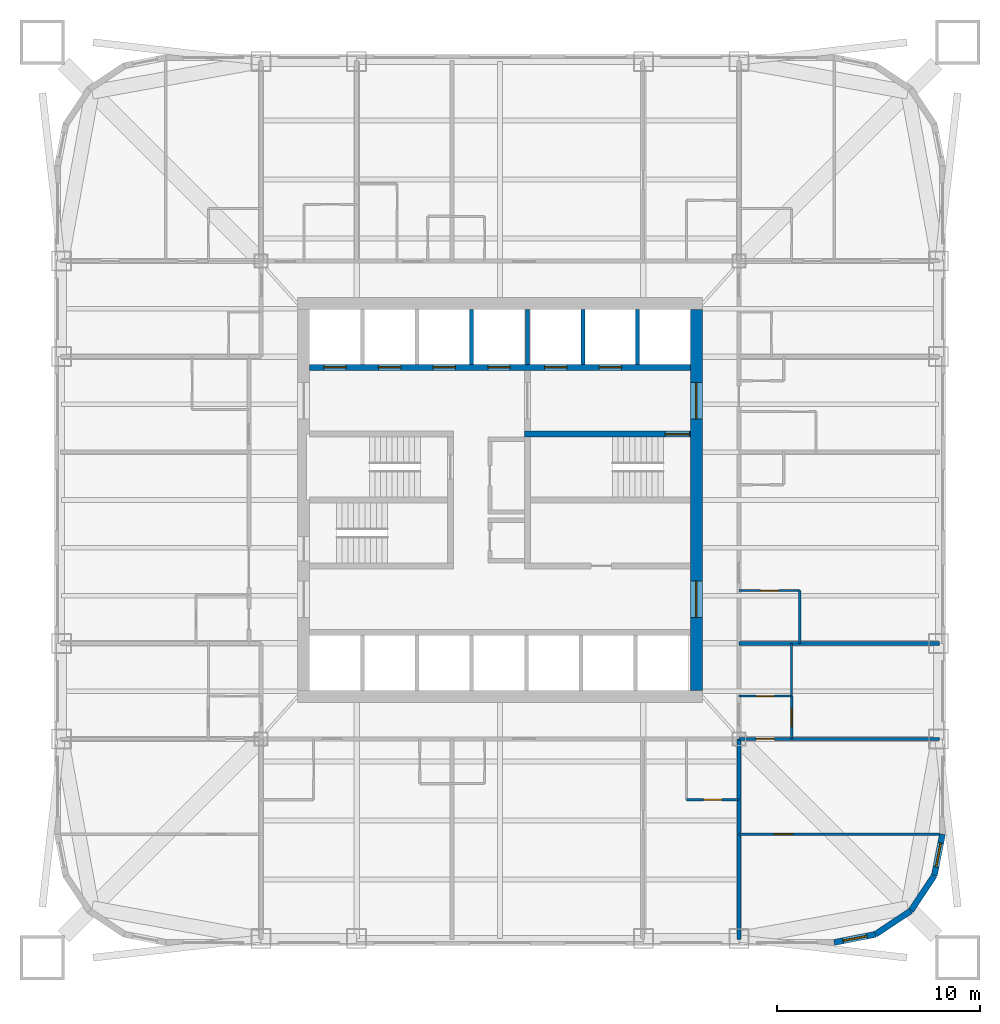
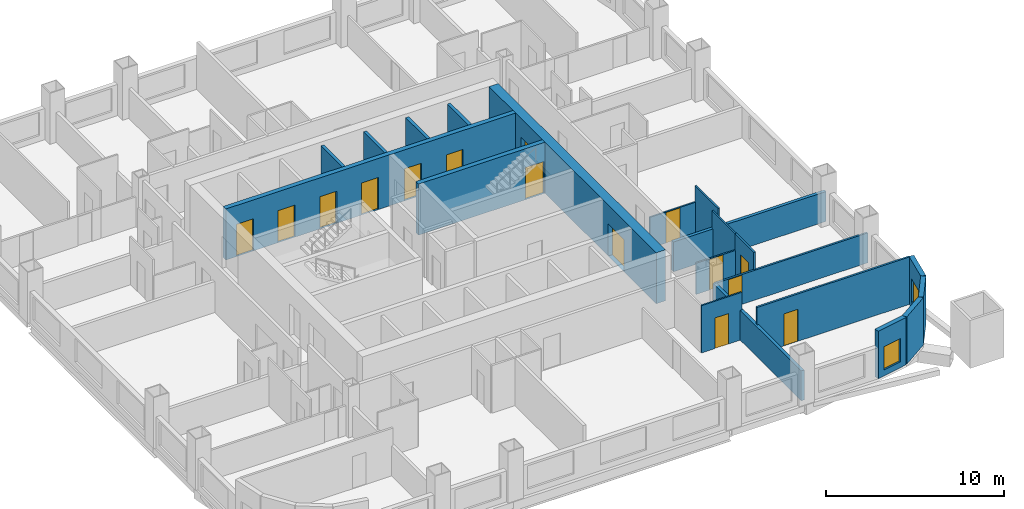
# One storey, part 5 of 9: 21 walls, 15 doors, 2 windows, 17 openings.
"""IFC4 building model written with IfcOpenShell, lengths in metres."""

from ifc_helpers import new_model, si_unit, direction, frame, frame_2d, origin, place, context, subcontext, project, spatial, rectangle, extrude, material, layer, layer_set, type_object, element, fill, save


model = new_model("IFC4")

# Units and contexts
model_context = context("Model", 3, precision=1e-05, world=origin(), true_north=direction((0.0, 1.0)))
body_context = subcontext(model_context, "Body", "Model", "MODEL_VIEW")
ifc_project = project(units=[si_unit("LENGTHUNIT", "METRE"), si_unit("AREAUNIT", "SQUARE_METRE"), si_unit("VOLUMEUNIT", "CUBIC_METRE"), si_unit("PLANEANGLEUNIT", "RADIAN"), si_unit("MASSUNIT", "GRAM", prefix="KILO")], contexts=[model_context])

# Site, building, storey
site_placement = place(None, origin())
site = spatial("IfcSite", under=ifc_project, at=site_placement, CompositionType="ELEMENT")
building_placement = place(site_placement, origin())
building = spatial("IfcBuilding", under=site, at=building_placement, Name="Turquesa Mirador Hotel Tower", CompositionType="ELEMENT")
storey_placement = place(building_placement, frame((0.0, 0.0, 84.5)))
storey = spatial("IfcBuildingStorey", under=building, at=storey_placement, Name="L22", CompositionType="ELEMENT", Elevation=84.5)

# Wall, opening, door
ifc_material_1 = material(Name="Gypsum board on steel studs", Category="steel")
ifc_layer_1 = layer(ifc_material_1, 0.10009765625)
ifc_layer_set_1 = layer_set([ifc_layer_1], Name="BATHROOM WALL 100")
wall_type_1 = type_object("IfcWallType", Name="BATHROOM WALL 100", PredefinedType="PARTITIONING", material=ifc_layer_set_1)
wall_1_placement = place(storey_placement, frame((64.199951171875, 30.199951171875, 0.0), z_axis=(0.0, 0.0, 1.0), x_axis=(1.0, 0.0, 0.0)))
wall_1 = element("IfcWall", 1, at=wall_1_placement, inside=storey, type_object=wall_type_1, Name="Partition L22 007", PredefinedType="PARTITIONING", context=body_context, shape_type="SweptSolid", body=[
    extrude(rectangle(XDim=2.60009765625, YDim=0.10009765625, at=frame_2d((1.300048828125, 0.0))), origin(), (0.0, 0.0, 1.0), 3.25),
])
opening_1_placement = place(wall_1_placement, frame((0.85009765625, 0.0, 0.0)))
opening_1 = element("IfcOpeningElement", 2, at=opening_1_placement, cuts=wall_1, Name="Opening D02", PredefinedType="OPENING", context=body_context, shape_type="SweptSolid", body=[
    extrude(rectangle(XDim=0.89990234375, YDim=2.10009765625, at=frame_2d((0.449951171875, 1.050048828125))), frame((0.0, 0.06005859375, 0.0), z_axis=(0.0, -1.0, 0.0), x_axis=(1.0, 0.0, 0.0)), (0.0, 0.0, 1.0), 0.1201171875),
])
ifc_material_2 = material(Name="Timber veneered door", Category="wood")
door_type_1 = type_object("IfcDoorType", Name="DOOR 900X2100 EN-SUITE", OperationType="SINGLE_SWING_RIGHT", PredefinedType="DOOR", material=ifc_material_2)
door_1_placement = place(opening_1_placement, origin())
door_1 = element("IfcDoor", 3, at=door_1_placement, inside=storey, type_object=door_type_1, Name="Door 2205B", OperationType="SINGLE_SWING_RIGHT", OverallHeight=2.10009765625, OverallWidth=0.89990234375, PredefinedType="DOOR", context=body_context, shape_type="SweptSolid", body=[
    extrude(rectangle(XDim=0.89990234375, YDim=2.10009765625, at=frame_2d((0.449951171875, 1.050048828125))), frame((0.0, 0.02490234375, 0.0), z_axis=(0.0, -1.0, 0.0), x_axis=(1.0, 0.0, 0.0)), (0.0, 0.0, 1.0), 0.050048828125),
])
fill(opening_1, door_1)

wall_2_placement = place(storey_placement, frame((66.800048828125, 40.52001953125, 0.0), z_axis=(0.0, 0.0, 1.0), x_axis=(1.0, 0.0, 0.0)))
wall_2 = element("IfcWall", 4, at=wall_2_placement, inside=storey, type_object=wall_type_1, Name="Partition L22 010", PredefinedType="PARTITIONING", context=body_context, shape_type="SweptSolid", body=[
    extrude(rectangle(XDim=3.0, YDim=0.10009765625, at=frame_2d((1.5, 0.0))), origin(), (0.0, 0.0, 1.0), 2.13232421875),
])
opening_2_placement = place(wall_2_placement, frame((1.050048828125, 0.0, 0.0)))
opening_2 = element("IfcOpeningElement", 5, at=opening_2_placement, cuts=wall_2, Name="Opening D02", PredefinedType="OPENING", context=body_context, shape_type="SweptSolid", body=[
    extrude(rectangle(XDim=0.89990234375, YDim=2.10009765625, at=frame_2d((0.449951171875, 1.050048828125))), frame((0.0, 0.06005859375, 0.0), z_axis=(0.0, -1.0, 0.0), x_axis=(1.0, 0.0, 0.0)), (0.0, 0.0, 1.0), 0.1201171875),
])
door_2_placement = place(opening_2_placement, origin())
door_2 = element("IfcDoor", 6, at=door_2_placement, inside=storey, type_object=door_type_1, Name="Door 2206B", OperationType="SINGLE_SWING_RIGHT", OverallHeight=2.10009765625, OverallWidth=0.89990234375, PredefinedType="DOOR", context=body_context, shape_type="SweptSolid", body=[
    extrude(rectangle(XDim=0.89990234375, YDim=2.10009765625, at=frame_2d((0.449951171875, 1.050048828125))), frame((0.0, 0.02490234375, 0.0), z_axis=(0.0, -1.0, 0.0), x_axis=(1.0, 0.0, 0.0)), (0.0, 0.0, 1.0), 0.050048828125),
])
fill(opening_2, door_2)

wall_3_placement = place(storey_placement, frame((66.800048828125, 35.320068359375, 0.0), z_axis=(0.0, 0.0, 1.0), x_axis=(1.0, 0.0, 0.0)))
wall_3 = element("IfcWall", 7, at=wall_3_placement, inside=storey, type_object=wall_type_1, Name="Partition L22 016", PredefinedType="PARTITIONING", context=body_context, shape_type="SweptSolid", body=[
    extrude(rectangle(XDim=2.599853515625, YDim=0.10009765625, at=frame_2d((1.2998046875, 0.0))), origin(), (0.0, 0.0, 1.0), 2.13232421875),
])
opening_3_placement = place(wall_3_placement, frame((0.85009765625, 0.0, 0.0)))
opening_3 = element("IfcOpeningElement", 8, at=opening_3_placement, cuts=wall_3, Name="Opening D02", PredefinedType="OPENING", context=body_context, shape_type="SweptSolid", body=[
    extrude(rectangle(XDim=0.89990234375, YDim=2.10009765625, at=frame_2d((0.449951171875, 1.050048828125))), frame((0.0, 0.06005859375, 0.0), z_axis=(0.0, -1.0, 0.0), x_axis=(1.0, 0.0, 0.0)), (0.0, 0.0, 1.0), 0.1201171875),
])
door_3_placement = place(opening_3_placement, origin())
door_3 = element("IfcDoor", 9, at=door_3_placement, inside=storey, type_object=door_type_1, Name="Door 2212B", OperationType="SINGLE_SWING_RIGHT", OverallHeight=2.10009765625, OverallWidth=0.89990234375, PredefinedType="DOOR", context=body_context, shape_type="SweptSolid", body=[
    extrude(rectangle(XDim=0.89990234375, YDim=2.10009765625, at=frame_2d((0.449951171875, 1.050048828125))), frame((0.0, 0.02490234375, 0.0), z_axis=(0.0, -1.0, 0.0), x_axis=(1.0, 0.0, 0.0)), (0.0, 0.0, 1.0), 0.050048828125),
])
fill(opening_3, door_3)

# Walls
wall_4_placement = place(storey_placement, frame((69.39990234375, 35.320068359375, 0.0), z_axis=(0.0, 0.0, 1.0), x_axis=(0.0, 1.0, 0.0)))
element("IfcWall", 10, at=wall_4_placement, inside=storey, type_object=wall_type_1, Name="Partition L22 068", PredefinedType="PARTITIONING", context=body_context, shape_type="SweptSolid", body=[
    extrude(rectangle(XDim=2.599853515625, YDim=0.10009765625, at=frame_2d((1.2998046875, 0.0))), origin(), (0.0, 0.0, 1.0), 3.25),
])
wall_5_placement = place(storey_placement, frame((69.800048828125, 37.919921875, 0.0), z_axis=(0.0, 0.0, 1.0), x_axis=(0.0, 1.0, 0.0)))
element("IfcWall", 11, at=wall_5_placement, inside=storey, type_object=wall_type_1, Name="Partition L22 071", PredefinedType="PARTITIONING", context=body_context, shape_type="SweptSolid", body=[
    extrude(rectangle(XDim=2.60009765625, YDim=0.10009765625, at=frame_2d((1.300048828125, 0.0))), origin(), (0.0, 0.0, 1.0), 3.25),
])

# Wall, openings, doors
ifc_material_3 = material(Name="Concrete C50/60", Category="concrete")
ifc_layer_2 = layer(ifc_material_3, 0.300048828125)
ifc_layer_set_2 = layer_set([ifc_layer_2], Name="CORE INNER WALL 300")
wall_type_2 = type_object("IfcWallType", Name="CORE INNER WALL 300", PredefinedType="SHEAR", material=ifc_layer_set_2)
wall_6_placement = place(storey_placement, frame((45.60009765625, 51.550048828125, 0.0), z_axis=(0.0, 0.0, 1.0), x_axis=(1.0, 0.0, 0.0)))
wall_6 = element("IfcWall", 12, at=wall_6_placement, inside=storey, type_object=wall_type_2, Name="Core wall NL", PredefinedType="SHEAR", context=body_context, shape_type="SweptSolid", body=[
    extrude(rectangle(XDim=18.7998046875, YDim=0.300048828125, at=frame_2d((9.39990234375, 0.0))), origin(), (0.0, 0.0, 1.0), 3.5),
])
opening_4_placement = place(wall_6_placement, frame((0.699951171875, 0.0, 0.0)))
opening_4 = element("IfcOpeningElement", 13, at=opening_4_placement, cuts=wall_6, Name="Opening LD", PredefinedType="OPENING", context=body_context, shape_type="SweptSolid", body=[
    extrude(rectangle(XDim=1.10009765625, YDim=2.199951171875, at=frame_2d((0.550048828125, 1.10009765625))), frame((0.0, 0.159912109375, 0.0), z_axis=(0.0, -1.0, 0.0), x_axis=(1.0, 0.0, 0.0)), (0.0, 0.0, 1.0), 0.320068359375),
])
opening_5_placement = place(wall_6_placement, frame((3.39990234375, 0.0, 0.0)))
opening_5 = element("IfcOpeningElement", 14, at=opening_5_placement, cuts=wall_6, Name="Opening LD", PredefinedType="OPENING", context=body_context, shape_type="SweptSolid", body=[
    extrude(rectangle(XDim=1.10009765625, YDim=2.199951171875, at=frame_2d((0.550048828125, 1.10009765625))), frame((0.0, 0.159912109375, 0.0), z_axis=(0.0, -1.0, 0.0), x_axis=(1.0, 0.0, 0.0)), (0.0, 0.0, 1.0), 0.320068359375),
])
opening_6_placement = place(wall_6_placement, frame((6.10009765625, 0.0, 0.0)))
opening_6 = element("IfcOpeningElement", 15, at=opening_6_placement, cuts=wall_6, Name="Opening LD", PredefinedType="OPENING", context=body_context, shape_type="SweptSolid", body=[
    extrude(rectangle(XDim=1.10009765625, YDim=2.199951171875, at=frame_2d((0.550048828125, 1.10009765625))), frame((0.0, 0.159912109375, 0.0), z_axis=(0.0, -1.0, 0.0), x_axis=(1.0, 0.0, 0.0)), (0.0, 0.0, 1.0), 0.320068359375),
])
opening_7_placement = place(wall_6_placement, frame((8.800048828125, 0.0, 0.0)))
opening_7 = element("IfcOpeningElement", 16, at=opening_7_placement, cuts=wall_6, Name="Opening LD", PredefinedType="OPENING", context=body_context, shape_type="SweptSolid", body=[
    extrude(rectangle(XDim=1.10009765625, YDim=2.199951171875, at=frame_2d((0.550048828125, 1.10009765625))), frame((0.0, 0.159912109375, 0.0), z_axis=(0.0, -1.0, 0.0), x_axis=(1.0, 0.0, 0.0)), (0.0, 0.0, 1.0), 0.320068359375),
])
opening_8_placement = place(wall_6_placement, frame((11.60009765625, 0.0, 0.0)))
opening_8 = element("IfcOpeningElement", 17, at=opening_8_placement, cuts=wall_6, Name="Opening LD", PredefinedType="OPENING", context=body_context, shape_type="SweptSolid", body=[
    extrude(rectangle(XDim=1.10009765625, YDim=2.199951171875, at=frame_2d((0.550048828125, 1.10009765625))), frame((0.0, 0.159912109375, 0.0), z_axis=(0.0, -1.0, 0.0), x_axis=(1.0, 0.0, 0.0)), (0.0, 0.0, 1.0), 0.320068359375),
])
opening_9_placement = place(wall_6_placement, frame((14.300048828125, 0.0, 0.0)))
opening_9 = element("IfcOpeningElement", 18, at=opening_9_placement, cuts=wall_6, Name="Opening LD", PredefinedType="OPENING", context=body_context, shape_type="SweptSolid", body=[
    extrude(rectangle(XDim=1.10009765625, YDim=2.199951171875, at=frame_2d((0.550048828125, 1.10009765625))), frame((0.0, 0.159912109375, 0.0), z_axis=(0.0, -1.0, 0.0), x_axis=(1.0, 0.0, 0.0)), (0.0, 0.0, 1.0), 0.320068359375),
])
ifc_material_4 = material(Name="Stainless steel lift landing door", Category="steel")
door_type_2 = type_object("IfcDoorType", Name="LIFT LANDING DOOR 1100X2200", OperationType="SLIDING_TO_LEFT", PredefinedType="DOOR", material=ifc_material_4)
door_4_placement = place(opening_4_placement, origin())
door_4 = element("IfcDoor", 19, at=door_4_placement, inside=storey, type_object=door_type_2, Name="Lift A1 landing door", OperationType="SLIDING_TO_LEFT", OverallHeight=2.199951171875, OverallWidth=1.10009765625, PredefinedType="DOOR", context=body_context, shape_type="SweptSolid", body=[
    extrude(rectangle(XDim=1.10009765625, YDim=2.199951171875, at=frame_2d((0.550048828125, 1.10009765625))), frame((0.0, 0.02490234375, 0.0), z_axis=(0.0, -1.0, 0.0), x_axis=(1.0, 0.0, 0.0)), (0.0, 0.0, 1.0), 0.050048828125),
])
fill(opening_4, door_4)
door_5_placement = place(opening_5_placement, origin())
door_5 = element("IfcDoor", 20, at=door_5_placement, inside=storey, type_object=door_type_2, Name="Lift A2 landing door", OperationType="SLIDING_TO_LEFT", OverallHeight=2.199951171875, OverallWidth=1.10009765625, PredefinedType="DOOR", context=body_context, shape_type="SweptSolid", body=[
    extrude(rectangle(XDim=1.10009765625, YDim=2.199951171875, at=frame_2d((0.550048828125, 1.10009765625))), frame((0.0, 0.02490234375, 0.0), z_axis=(0.0, -1.0, 0.0), x_axis=(1.0, 0.0, 0.0)), (0.0, 0.0, 1.0), 0.050048828125),
])
fill(opening_5, door_5)
door_6_placement = place(opening_6_placement, origin())
door_6 = element("IfcDoor", 21, at=door_6_placement, inside=storey, type_object=door_type_2, Name="Lift A3 landing door", OperationType="SLIDING_TO_LEFT", OverallHeight=2.199951171875, OverallWidth=1.10009765625, PredefinedType="DOOR", context=body_context, shape_type="SweptSolid", body=[
    extrude(rectangle(XDim=1.10009765625, YDim=2.199951171875, at=frame_2d((0.550048828125, 1.10009765625))), frame((0.0, 0.02490234375, 0.0), z_axis=(0.0, -1.0, 0.0), x_axis=(1.0, 0.0, 0.0)), (0.0, 0.0, 1.0), 0.050048828125),
])
fill(opening_6, door_6)
door_7_placement = place(opening_7_placement, origin())
door_7 = element("IfcDoor", 22, at=door_7_placement, inside=storey, type_object=door_type_2, Name="Lift A4 landing door", OperationType="SLIDING_TO_LEFT", OverallHeight=2.199951171875, OverallWidth=1.10009765625, PredefinedType="DOOR", context=body_context, shape_type="SweptSolid", body=[
    extrude(rectangle(XDim=1.10009765625, YDim=2.199951171875, at=frame_2d((0.550048828125, 1.10009765625))), frame((0.0, 0.02490234375, 0.0), z_axis=(0.0, -1.0, 0.0), x_axis=(1.0, 0.0, 0.0)), (0.0, 0.0, 1.0), 0.050048828125),
])
fill(opening_7, door_7)
door_8_placement = place(opening_8_placement, origin())
door_8 = element("IfcDoor", 23, at=door_8_placement, inside=storey, type_object=door_type_2, Name="Lift S1 landing door", OperationType="SLIDING_TO_LEFT", OverallHeight=2.199951171875, OverallWidth=1.10009765625, PredefinedType="DOOR", context=body_context, shape_type="SweptSolid", body=[
    extrude(rectangle(XDim=1.10009765625, YDim=2.199951171875, at=frame_2d((0.550048828125, 1.10009765625))), frame((0.0, 0.02490234375, 0.0), z_axis=(0.0, -1.0, 0.0), x_axis=(1.0, 0.0, 0.0)), (0.0, 0.0, 1.0), 0.050048828125),
])
fill(opening_8, door_8)
door_9_placement = place(opening_9_placement, origin())
door_9 = element("IfcDoor", 24, at=door_9_placement, inside=storey, type_object=door_type_2, Name="Lift S2 landing door", OperationType="SLIDING_TO_LEFT", OverallHeight=2.199951171875, OverallWidth=1.10009765625, PredefinedType="DOOR", context=body_context, shape_type="SweptSolid", body=[
    extrude(rectangle(XDim=1.10009765625, YDim=2.199951171875, at=frame_2d((0.550048828125, 1.10009765625))), frame((0.0, 0.02490234375, 0.0), z_axis=(0.0, -1.0, 0.0), x_axis=(1.0, 0.0, 0.0)), (0.0, 0.0, 1.0), 0.050048828125),
])
fill(opening_9, door_9)

# Wall, opening, door
wall_7_placement = place(storey_placement, frame((56.199951171875, 48.25, 0.0), z_axis=(0.0, 0.0, 1.0), x_axis=(1.0, 0.0, 0.0)))
wall_7 = element("IfcWall", 25, at=wall_7_placement, inside=storey, type_object=wall_type_2, Name="Core wall MN-E", PredefinedType="SHEAR", context=body_context, shape_type="SweptSolid", body=[
    extrude(rectangle(XDim=8.199951171875, YDim=0.300048828125, at=frame_2d((4.10009765625, 0.0))), origin(), (0.0, 0.0, 1.0), 3.5),
])
opening_10_placement = place(wall_7_placement, frame((6.949951171875, 0.0, 0.0)))
opening_10 = element("IfcOpeningElement", 26, at=opening_10_placement, cuts=wall_7, Name="Opening D03", PredefinedType="OPENING", context=body_context, shape_type="SweptSolid", body=[
    extrude(rectangle(XDim=1.199951171875, YDim=2.199951171875, at=frame_2d((0.60009765625, 1.10009765625))), frame((0.0, 0.159912109375, 0.0), z_axis=(0.0, -1.0, 0.0), x_axis=(1.0, 0.0, 0.0)), (0.0, 0.0, 1.0), 0.320068359375),
])
ifc_material_5 = material(Name="Steel fire door", Category="steel")
door_type_3 = type_object("IfcDoorType", Name="DOOR 1200X2200 STAIR", OperationType="SINGLE_SWING_LEFT", PredefinedType="DOOR", material=ifc_material_5)
door_10_placement = place(opening_10_placement, origin())
door_10 = element("IfcDoor", 27, at=door_10_placement, inside=storey, type_object=door_type_3, Name="Stair ST3 door", OperationType="SINGLE_SWING_LEFT", OverallHeight=2.199951171875, OverallWidth=1.199951171875, PredefinedType="DOOR", context=body_context, shape_type="SweptSolid", body=[
    extrude(rectangle(XDim=1.199951171875, YDim=2.199951171875, at=frame_2d((0.60009765625, 1.10009765625))), frame((0.0, 0.02490234375, 0.0), z_axis=(0.0, -1.0, 0.0), x_axis=(1.0, 0.0, 0.0)), (0.0, 0.0, 1.0), 0.050048828125),
])
fill(opening_10, door_10)

# Wall, openings, doors
ifc_material_6 = material(Name="Concrete C50/60", Category="concrete")
ifc_layer_3 = layer(ifc_material_6, 0.60009765625)
ifc_layer_set_3 = layer_set([ifc_layer_3], Name="CORE WALL 600")
wall_type_3 = type_object("IfcWallType", Name="CORE WALL 600", PredefinedType="SHEAR", material=ifc_layer_set_3)
wall_8_placement = place(storey_placement, frame((64.699951171875, 35.60009765625, 0.0), z_axis=(0.0, 0.0, 1.0), x_axis=(0.0, 1.0, 0.0)))
wall_8 = element("IfcWall", 28, at=wall_8_placement, inside=storey, type_object=wall_type_3, Name="Core wall E", PredefinedType="SHEAR", context=body_context, shape_type="SweptSolid", body=[
    extrude(rectangle(XDim=18.7998046875, YDim=0.60009765625, at=frame_2d((9.39990234375, 0.0))), origin(), (0.0, 0.0, 1.0), 3.5),
])
opening_11_placement = place(wall_8_placement, frame((13.39990234375, 0.0, 0.0)))
opening_11 = element("IfcOpeningElement", 29, at=opening_11_placement, cuts=wall_8, Name="Opening D04", PredefinedType="OPENING", context=body_context, shape_type="SweptSolid", body=[
    extrude(rectangle(XDim=1.800048828125, YDim=2.199951171875, at=frame_2d((0.89990234375, 1.10009765625))), frame((0.0, 0.31005859375, 0.0), z_axis=(0.0, -1.0, 0.0), x_axis=(1.0, 0.0, 0.0)), (0.0, 0.0, 1.0), 0.6201171875),
])
opening_12_placement = place(wall_8_placement, frame((3.60009765625, 0.0, 0.0)))
opening_12 = element("IfcOpeningElement", 30, at=opening_12_placement, cuts=wall_8, Name="Opening D04", PredefinedType="OPENING", context=body_context, shape_type="SweptSolid", body=[
    extrude(rectangle(XDim=1.800048828125, YDim=2.199951171875, at=frame_2d((0.89990234375, 1.10009765625))), frame((0.0, 0.31005859375, 0.0), z_axis=(0.0, -1.0, 0.0), x_axis=(1.0, 0.0, 0.0)), (0.0, 0.0, 1.0), 0.6201171875),
])
ifc_material_7 = material(Name="Steel fire door pair", Category="steel")
door_type_4 = type_object("IfcDoorType", Name="DOOR 1800X2200 PAIR", OperationType="DOUBLE_DOOR_SINGLE_SWING", PredefinedType="DOOR", material=ifc_material_7)
door_11_placement = place(opening_11_placement, origin())
door_11 = element("IfcDoor", 31, at=door_11_placement, inside=storey, type_object=door_type_4, Name="Firefighting lobby door", OperationType="DOUBLE_DOOR_SINGLE_SWING", OverallHeight=2.199951171875, OverallWidth=1.800048828125, PredefinedType="DOOR", context=body_context, shape_type="SweptSolid", body=[
    extrude(rectangle(XDim=1.800048828125, YDim=2.199951171875, at=frame_2d((0.89990234375, 1.10009765625))), frame((0.0, 0.02490234375, 0.0), z_axis=(0.0, -1.0, 0.0), x_axis=(1.0, 0.0, 0.0)), (0.0, 0.0, 1.0), 0.050048828125),
])
fill(opening_11, door_11)
door_12_placement = place(opening_12_placement, origin())
door_12 = element("IfcDoor", 32, at=door_12_placement, inside=storey, type_object=door_type_4, Name="South lift lobby door", OperationType="DOUBLE_DOOR_SINGLE_SWING", OverallHeight=2.199951171875, OverallWidth=1.800048828125, PredefinedType="DOOR", context=body_context, shape_type="SweptSolid", body=[
    extrude(rectangle(XDim=1.800048828125, YDim=2.199951171875, at=frame_2d((0.89990234375, 1.10009765625))), frame((0.0, 0.02490234375, 0.0), z_axis=(0.0, -1.0, 0.0), x_axis=(1.0, 0.0, 0.0)), (0.0, 0.0, 1.0), 0.050048828125),
])
fill(opening_12, door_12)

# Wall, opening, window
ifc_material_8 = material(Name="Limestone cladding on concrete block", Category="masonry")
ifc_layer_4 = layer(ifc_material_8, 0.300048828125)
ifc_layer_set_4 = layer_set([ifc_layer_4], Name="FACADE WALL 300 STONE SCREEN")
wall_type_4 = type_object("IfcWallType", Name="FACADE WALL 300 STONE SCREEN", PredefinedType="SOLIDWALL", material=ifc_layer_set_4)
wall_9_placement = place(storey_placement, frame((71.5, 23.14990234375, 0.0), z_axis=(0.0, 0.0, 1.0), x_axis=(0.980787050784, 0.195081421501, 0.0)))
wall_9 = element("IfcWall", 33, at=wall_9_placement, inside=storey, type_object=wall_type_4, Name="Facade wall L22 00", PredefinedType="SOLIDWALL", context=body_context, shape_type="SweptSolid", body=[
    extrude(rectangle(XDim=2.08740234375, YDim=0.300048828125, at=frame_2d((1.043701171875, 0.0))), origin(), (0.0, 0.0, 1.0), 3.25),
])
opening_13_placement = place(wall_9_placement, frame((0.443603515625, 0.0, 0.39990234375)))
opening_13 = element("IfcOpeningElement", 34, at=opening_13_placement, cuts=wall_9, Name="Opening WN8", PredefinedType="OPENING", context=body_context, shape_type="SweptSolid", body=[
    extrude(rectangle(XDim=1.199951171875, YDim=1.60009765625, at=frame_2d((0.60009765625, 0.800048828125))), frame((0.0, 0.159912109375, 0.0), z_axis=(0.0, -1.0, 0.0), x_axis=(1.0, 0.0, 0.0)), (0.0, 0.0, 1.0), 0.320068359375),
])
ifc_material_9 = material(Name="Ceramic-fritted laminated glass", Category="glass")
window_type = type_object("IfcWindowType", Name="FRITTED CORNER WINDOW 1200X1600", PartitioningType="DOUBLE_PANEL_HORIZONTAL", PredefinedType="WINDOW", material=ifc_material_9)
window_1_placement = place(opening_13_placement, origin())
window_1 = element("IfcWindow", 35, at=window_1_placement, inside=storey, type_object=window_type, Name="Window L22", OverallHeight=1.60009765625, OverallWidth=1.199951171875, PartitioningType="SINGLE_PANEL", PredefinedType="WINDOW", context=body_context, shape_type="SweptSolid", body=[
    extrude(rectangle(XDim=1.199951171875, YDim=1.60009765625, at=frame_2d((0.60009765625, 0.800048828125))), frame((0.0, 0.030029296875, 0.0), z_axis=(0.0, -1.0, 0.0), x_axis=(1.0, 0.0, 0.0)), (0.0, 0.0, 1.0), 0.06005859375),
])
fill(opening_13, window_1)

# Walls
for number, where, z_axis, x_axis, name in (
    (36, (73.54736328125, 23.55712890625, 0.0), (0.0, 0.0, 1.0), (0.831420010345, 0.555644460423, 0.0), "Facade wall L22 01"),
    (37, (75.282958984375, 24.717041015625, 0.0), (0.0, 0.0, 1.0), (0.555644460423, 0.831420010345, 0.0), "Facade wall L22 02"),
):
    element("IfcWall", number, at=place(storey_placement, frame(where, z_axis=z_axis, x_axis=x_axis)), inside=storey, type_object=wall_type_4, Name=name, PredefinedType="SOLIDWALL", context=body_context, shape_type="SweptSolid", body=[
        extrude(rectangle(XDim=2.08740234375, YDim=0.300048828125, at=frame_2d((1.043701171875, 0.0))), origin(), (0.0, 0.0, 1.0), 3.25),
    ])

# Wall, opening, window
wall_10_placement = place(storey_placement, frame((76.44287109375, 26.45263671875, 0.0), z_axis=(0.0, 0.0, 1.0), x_axis=(0.195081421501, 0.980787050784, 0.0)))
wall_10 = element("IfcWall", 38, at=wall_10_placement, inside=storey, type_object=wall_type_4, Name="Facade wall L22 03", PredefinedType="SOLIDWALL", context=body_context, shape_type="SweptSolid", body=[
    extrude(rectangle(XDim=2.08740234375, YDim=0.300048828125, at=frame_2d((1.043701171875, 0.0))), origin(), (0.0, 0.0, 1.0), 3.25),
])
opening_14_placement = place(wall_10_placement, frame((0.443603515625, 0.0, 0.39990234375)))
opening_14 = element("IfcOpeningElement", 39, at=opening_14_placement, cuts=wall_10, Name="Opening WN8", PredefinedType="OPENING", context=body_context, shape_type="SweptSolid", body=[
    extrude(rectangle(XDim=1.199951171875, YDim=1.60009765625, at=frame_2d((0.60009765625, 0.800048828125))), frame((0.0, 0.159912109375, 0.0), z_axis=(0.0, -1.0, 0.0), x_axis=(1.0, 0.0, 0.0)), (0.0, 0.0, 1.0), 0.320068359375),
])
window_2_placement = place(opening_14_placement, origin())
window_2 = element("IfcWindow", 40, at=window_2_placement, inside=storey, type_object=window_type, Name="Window L22", OverallHeight=1.60009765625, OverallWidth=1.199951171875, PartitioningType="SINGLE_PANEL", PredefinedType="WINDOW", context=body_context, shape_type="SweptSolid", body=[
    extrude(rectangle(XDim=1.199951171875, YDim=1.60009765625, at=frame_2d((0.60009765625, 0.800048828125))), frame((0.0, 0.030029296875, 0.0), z_axis=(0.0, -1.0, 0.0), x_axis=(1.0, 0.0, 0.0)), (0.0, 0.0, 1.0), 0.06005859375),
])
fill(opening_14, window_2)

# Walls
ifc_material_10 = material(Name="Fire-rated gypsum shaft wall on steel studs", Category="steel")
ifc_layer_5 = layer(ifc_material_10, 0.199951171875)
ifc_layer_set_5 = layer_set([ifc_layer_5], Name="LIFT SHAFT DIVIDER 200")
wall_type_5 = type_object("IfcWallType", Name="LIFT SHAFT DIVIDER 200", PredefinedType="PARTITIONING", material=ifc_layer_set_5)
for number, where, z_axis, x_axis, name in (
    (41, (53.60009765625, 51.699951171875, 0.0), (0.0, 0.0, 1.0), (0.0, 1.0, 0.0), "Lift shaft divider"),
    (42, (59.10009765625, 51.699951171875, 0.0), (0.0, 0.0, 1.0), (0.0, 1.0, 0.0), "Lift shaft divider"),
    (43, (61.800048828125, 51.699951171875, 0.0), (0.0, 0.0, 1.0), (0.0, 1.0, 0.0), "Lift shaft divider"),
    (44, (56.35009765625, 51.699951171875, 0.0), (0.0, 0.0, 1.0), (0.0, 1.0, 0.0), "Lift shaft divider"),
):
    element("IfcWall", number, at=place(storey_placement, frame(where, z_axis=z_axis, x_axis=x_axis)), inside=storey, type_object=wall_type_5, Name=name, PredefinedType="PARTITIONING", context=body_context, shape_type="SweptSolid", body=[
        extrude(rectangle(XDim=2.699951171875, YDim=0.199951171875, at=frame_2d((1.35009765625, 0.0))), origin(), (0.0, 0.0, 1.0), 3.25),
    ])
ifc_material_11 = material(Name="Fire-rated gypsum board on steel studs", Category="steel")
ifc_layer_6 = layer(ifc_material_11, 0.199951171875)
ifc_layer_set_6 = layer_set([ifc_layer_6], Name="PARTY WALL 200")
wall_type_6 = type_object("IfcWallType", Name="PARTY WALL 200", PredefinedType="PARTITIONING", material=ifc_layer_set_6)
for number, where, z_axis, x_axis, name in (
    (45, (66.800048828125, 37.919921875, 0.0), (0.0, 0.0, 1.0), (1.0, 0.0, 0.0), "Partition L22 014"),
    (46, (66.800048828125, 23.300048828125, 0.0), (0.0, 0.0, 1.0), (0.0, 1.0, 0.0), "Partition L22 063"),
):
    element("IfcWall", number, at=place(storey_placement, frame(where, z_axis=z_axis, x_axis=x_axis)), inside=storey, type_object=wall_type_6, Name=name, PredefinedType="PARTITIONING", context=body_context, shape_type="SweptSolid", body=[
        extrude(rectangle(XDim=9.89990234375, YDim=0.199951171875, at=frame_2d((4.949951171875, 0.0))), origin(), (0.0, 0.0, 1.0), 2.050048828125),
    ])

# Wall, opening, door
ifc_material_12 = material(Name="Acoustic gypsum board on steel studs", Category="steel")
ifc_layer_7 = layer(ifc_material_12, 0.125)
ifc_layer_set_7 = layer_set([ifc_layer_7], Name="SUITE PARTITION 125")
wall_type_7 = type_object("IfcWallType", Name="SUITE PARTITION 125", PredefinedType="PARTITIONING", material=ifc_layer_set_7)
wall_11_placement = place(storey_placement, frame((66.800048828125, 33.199951171875, 0.0), z_axis=(0.0, 0.0, 1.0), x_axis=(1.0, 0.0, 0.0)))
wall_11 = element("IfcWall", 47, at=wall_11_placement, inside=storey, type_object=wall_type_7, Name="Partition L22 003", PredefinedType="PARTITIONING", context=body_context, shape_type="SweptSolid", body=[
    extrude(rectangle(XDim=9.89990234375, YDim=0.125, at=frame_2d((4.949951171875, 0.0))), origin(), (0.0, 0.0, 1.0), 2.050048828125),
])
opening_15_placement = place(wall_11_placement, frame((0.85009765625, 0.0, 0.0)))
opening_15 = element("IfcOpeningElement", 48, at=opening_15_placement, cuts=wall_11, Name="Opening D24", PredefinedType="OPENING", context=body_context, shape_type="SweptSolid", body=[
    extrude(rectangle(XDim=0.89990234375, YDim=2.0, at=frame_2d((0.449951171875, 1.0))), frame((0.0, 0.072509765625, 0.0), z_axis=(0.0, -1.0, 0.0), x_axis=(1.0, 0.0, 0.0)), (0.0, 0.0, 1.0), 0.14501953125),
])
ifc_material_13 = material(Name="Timber veneered door", Category="wood")
door_type_5 = type_object("IfcDoorType", Name="DOOR 900X2000 SUITE INTERNAL", OperationType="SINGLE_SWING_LEFT", PredefinedType="DOOR", material=ifc_material_13)
door_13_placement = place(opening_15_placement, origin())
door_13 = element("IfcDoor", 49, at=door_13_placement, inside=storey, type_object=door_type_5, Name="Door 2212", OperationType="SINGLE_SWING_LEFT", OverallHeight=2.0, OverallWidth=0.89990234375, PredefinedType="DOOR", context=body_context, shape_type="SweptSolid", body=[
    extrude(rectangle(XDim=0.89990234375, YDim=2.0, at=frame_2d((0.449951171875, 1.0))), frame((0.0, 0.02490234375, 0.0), z_axis=(0.0, -1.0, 0.0), x_axis=(1.0, 0.0, 0.0)), (0.0, 0.0, 1.0), 0.050048828125),
])
fill(opening_15, door_13)

wall_12_placement = place(storey_placement, frame((66.800048828125, 28.5, 0.0), z_axis=(0.0, 0.0, 1.0), x_axis=(1.0, 0.0, 0.0)))
wall_12 = element("IfcWall", 50, at=wall_12_placement, inside=storey, type_object=wall_type_7, Name="Partition L22 009", PredefinedType="PARTITIONING", context=body_context, shape_type="SweptSolid", body=[
    extrude(rectangle(XDim=9.89404296875, YDim=0.125, at=frame_2d((4.947021484375, 0.0))), origin(), (0.0, 0.0, 1.0), 3.25),
])
opening_16_placement = place(wall_12_placement, frame((1.75, 0.0, 0.0)))
opening_16 = element("IfcOpeningElement", 51, at=opening_16_placement, cuts=wall_12, Name="Opening D17", PredefinedType="OPENING", context=body_context, shape_type="SweptSolid", body=[
    extrude(rectangle(XDim=0.89990234375, YDim=2.199951171875, at=frame_2d((0.449951171875, 1.10009765625))), frame((0.0, 0.072509765625, 0.0), z_axis=(0.0, -1.0, 0.0), x_axis=(1.0, 0.0, 0.0)), (0.0, 0.0, 1.0), 0.14501953125),
])
ifc_material_14 = material(Name="Timber veneered door", Category="wood")
door_type_6 = type_object("IfcDoorType", Name="DOOR 900X2200 SUITE INTERNAL", OperationType="SINGLE_SWING_LEFT", PredefinedType="DOOR", material=ifc_material_14)
door_14_placement = place(opening_16_placement, origin())
door_14 = element("IfcDoor", 52, at=door_14_placement, inside=storey, type_object=door_type_6, Name="Door 2212M", OperationType="SINGLE_SWING_LEFT", OverallHeight=2.199951171875, OverallWidth=0.89990234375, PredefinedType="DOOR", context=body_context, shape_type="SweptSolid", body=[
    extrude(rectangle(XDim=0.89990234375, YDim=2.199951171875, at=frame_2d((0.449951171875, 1.10009765625))), frame((0.0, 0.02490234375, 0.0), z_axis=(0.0, -1.0, 0.0), x_axis=(1.0, 0.0, 0.0)), (0.0, 0.0, 1.0), 0.050048828125),
])
fill(opening_16, door_14)

wall_13_placement = place(storey_placement, frame((69.39990234375, 33.199951171875, 0.0), z_axis=(0.0, 0.0, 1.0), x_axis=(0.0, 1.0, 0.0)))
wall_13 = element("IfcWall", 53, at=wall_13_placement, inside=storey, type_object=wall_type_7, Name="Partition L22 070", PredefinedType="PARTITIONING", context=body_context, shape_type="SweptSolid", body=[
    extrude(rectangle(XDim=2.1201171875, YDim=0.125, at=frame_2d((1.06005859375, 0.0))), origin(), (0.0, 0.0, 1.0), 3.25),
])
opening_17_placement = place(wall_13_placement, frame((0.610107421875, 0.0, 0.0)))
opening_17 = element("IfcOpeningElement", 54, at=opening_17_placement, cuts=wall_13, Name="Opening D17", PredefinedType="OPENING", context=body_context, shape_type="SweptSolid", body=[
    extrude(rectangle(XDim=0.89990234375, YDim=2.199951171875, at=frame_2d((0.449951171875, 1.10009765625))), frame((0.0, 0.072509765625, 0.0), z_axis=(0.0, -1.0, 0.0), x_axis=(1.0, 0.0, 0.0)), (0.0, 0.0, 1.0), 0.14501953125),
])
door_15_placement = place(opening_17_placement, origin())
door_15 = element("IfcDoor", 55, at=door_15_placement, inside=storey, type_object=door_type_6, Name="Door 2212R", OperationType="SINGLE_SWING_LEFT", OverallHeight=2.199951171875, OverallWidth=0.89990234375, PredefinedType="DOOR", context=body_context, shape_type="SweptSolid", body=[
    extrude(rectangle(XDim=0.89990234375, YDim=2.199951171875, at=frame_2d((0.449951171875, 1.10009765625))), frame((0.0, 0.02490234375, 0.0), z_axis=(0.0, -1.0, 0.0), x_axis=(1.0, 0.0, 0.0)), (0.0, 0.0, 1.0), 0.050048828125),
])
fill(opening_17, door_15)

save(model, "model.ifc")
